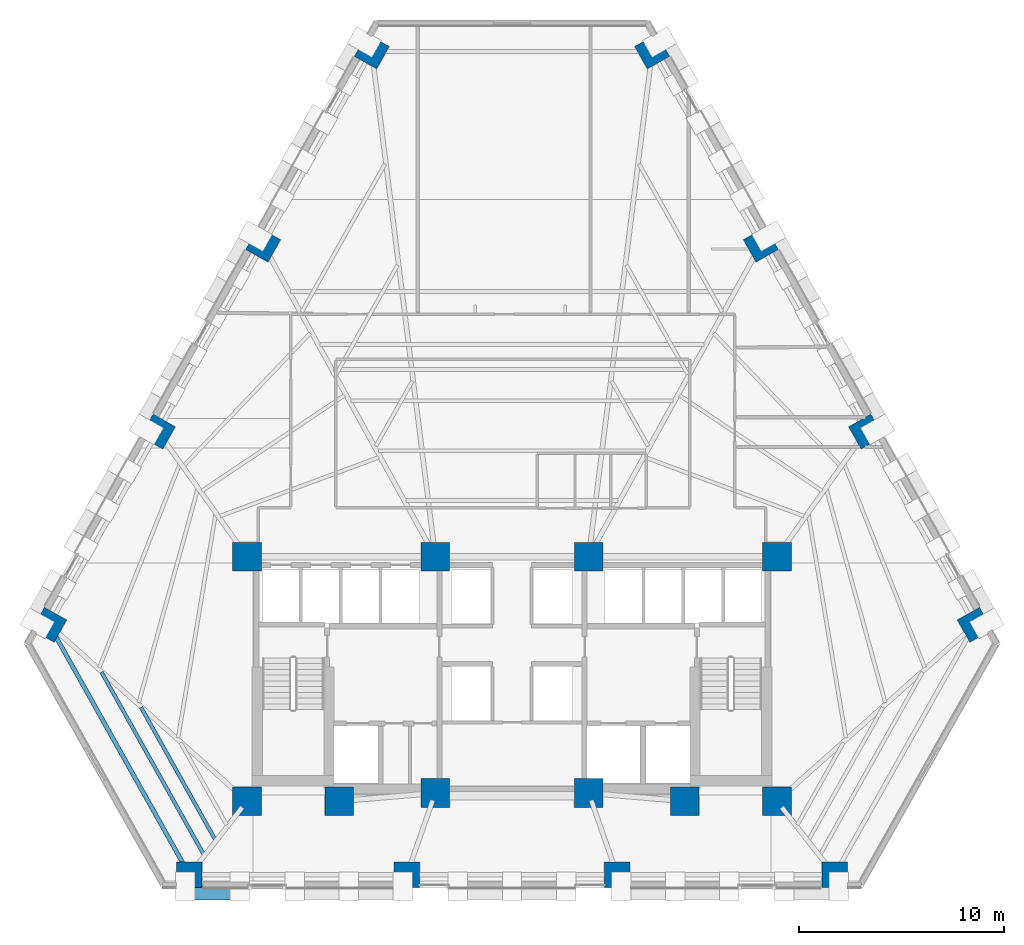
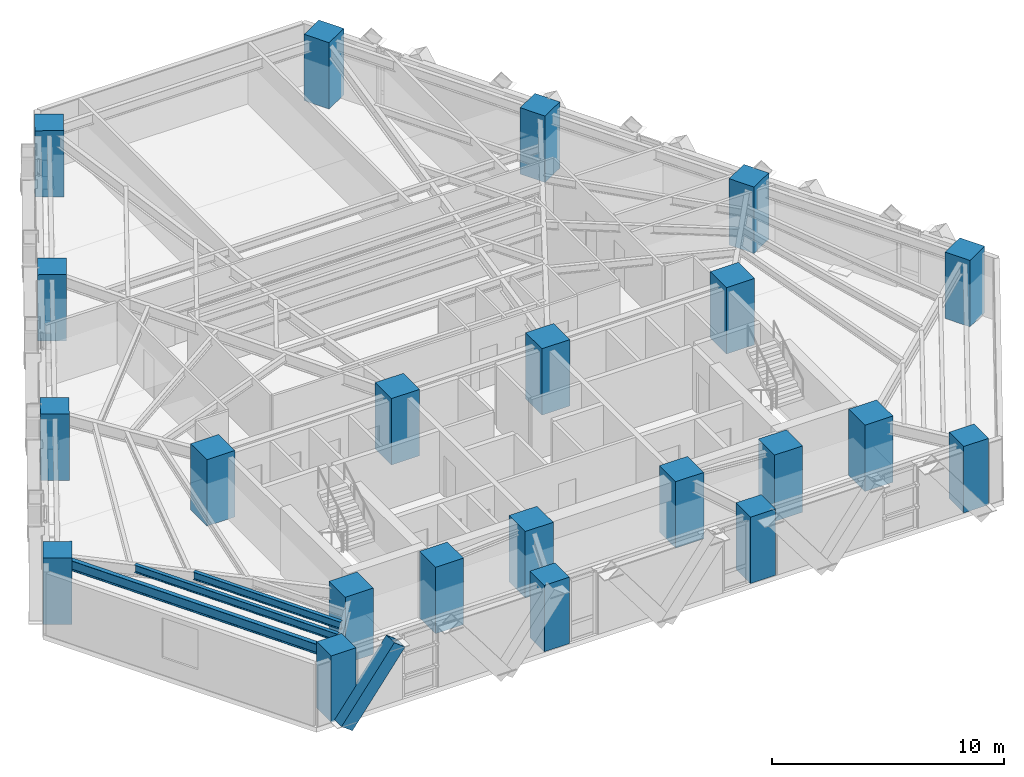
# One storey, part 1 of 13: 22 columns, 3 beams, 1 member.
"""IFC4 building model written with IfcOpenShell, lengths in metres."""

from ifc_helpers import new_model, si_unit, direction, frame, origin, origin_2d, place, context, subcontext, project, spatial, rectangle, hollow_rectangle, i_section, extrude, material, material_profile, profile_set, type_object, element, save


model = new_model("IFC4")

# Units and contexts
model_context = context("Model", 3, precision=1e-05, world=origin(), true_north=direction((0.0, 1.0)))
body_context = subcontext(model_context, "Body", "Model", "MODEL_VIEW")
ifc_project = project(units=[si_unit("LENGTHUNIT", "METRE"), si_unit("AREAUNIT", "SQUARE_METRE"), si_unit("VOLUMEUNIT", "CUBIC_METRE"), si_unit("PLANEANGLEUNIT", "RADIAN"), si_unit("MASSUNIT", "GRAM", prefix="KILO")], contexts=[model_context])

# Site, building, storey
site_placement = place(None, origin())
site = spatial("IfcSite", under=ifc_project, at=site_placement, CompositionType="ELEMENT")
building_placement = place(site_placement, origin())
building = spatial("IfcBuilding", under=site, at=building_placement, Name="Quenlor Broadcast Tower", CompositionType="ELEMENT")
storey_placement = place(building_placement, frame((0.0, 0.0, 69.60009765625)))
storey = spatial("IfcBuildingStorey", under=building, at=storey_placement, Name="L18", CompositionType="ELEMENT", Elevation=69.60009765625)

# Columns
ifc_material_1 = material(Name="Concrete C65/80", Category="concrete")
ifc_material_profile_1 = material_profile(ifc_material_1, rectangle(XDim=1.39990234375, YDim=1.39990234375, at=origin_2d()))
ifc_profile_set_1 = profile_set([ifc_material_profile_1], Name="Concrete C65/80 RC1400x1400")
column_type_1 = type_object("IfcColumnType", Name="Core Corner Column Lower Concrete C65/80 1400", PredefinedType="COLUMN", material=ifc_profile_set_1)
for number, where, z_axis, x_axis, name in (
    (1, (-12.949951171875, -16.75, 0.0), (0.0, 0.0, 1.0), (1.0, 0.0, 0.0), "L18 Core Column CC1"),
    (2, (-8.449951171875, -16.75, 0.0), (0.0, 0.0, 1.0), (1.0, 0.0, 0.0), "L18 Core Column CC2"),
    (3, (-3.75, -16.35009765625, 0.0), (0.0, 0.0, 1.0), (1.0, 0.0, 0.0), "L18 Core Column CC3"),
    (4, (3.75, -16.35009765625, 0.0), (0.0, 0.0, 1.0), (1.0, 0.0, 0.0), "L18 Core Column CC4"),
    (5, (8.449951171875, -16.75, 0.0), (0.0, 0.0, 1.0), (1.0, 0.0, 0.0), "L18 Core Column CC5"),
    (6, (12.949951171875, -16.75, 0.0), (0.0, 0.0, 1.0), (1.0, 0.0, 0.0), "L18 Core Column CC6"),
    (7, (-12.949951171875, -4.800048828125, 0.0), (0.0, 0.0, 1.0), (1.0, 0.0, 0.0), "L18 Core Column CC7"),
    (8, (-3.75, -4.800048828125, 0.0), (0.0, 0.0, 1.0), (1.0, 0.0, 0.0), "L18 Core Column CC8"),
    (9, (3.75, -4.800048828125, 0.0), (0.0, 0.0, 1.0), (1.0, 0.0, 0.0), "L18 Core Column CC9"),
    (10, (12.949951171875, -4.800048828125, 0.0), (0.0, 0.0, 1.0), (1.0, 0.0, 0.0), "L18 Core Column CC10"),
):
    element("IfcColumn", number, at=place(storey_placement, frame(where, z_axis=z_axis, x_axis=x_axis)), inside=storey, type_object=column_type_1, Name=name, PredefinedType="COLUMN", context=body_context, shape_type="SweptSolid", body=[
        extrude(rectangle(XDim=1.39990234375, YDim=1.39990234375, at=origin_2d()), origin(), (0.0, 0.0, 1.0), 3.5),
    ])
ifc_material_2 = material(Name="Concrete C65/80", Category="concrete")
ifc_material_profile_2 = material_profile(ifc_material_2, rectangle(XDim=1.25, YDim=1.25, at=origin_2d()))
ifc_profile_set_2 = profile_set([ifc_material_profile_2], Name="Concrete C65/80 RC1250x1250")
column_type_2 = type_object("IfcColumnType", Name="Tower Perimeter Column Z1 Concrete C65/80 1250", PredefinedType="COLUMN", material=ifc_profile_set_2)
for number, where, z_axis, x_axis, name in (
    (11, (-15.76513671875, -20.35009765625, 0.0), (0.0, 0.0, 1.0), (0.0, 1.0, 0.0), "L18 Perimeter Column S1"),
    (12, (-5.140869140625, -20.35009765625, 0.0), (0.0, 0.0, 1.0), (0.0, 1.0, 0.0), "L18 Perimeter Column S2"),
    (13, (5.140869140625, -20.35009765625, 0.0), (0.0, 0.0, 1.0), (0.0, 1.0, 0.0), "L18 Perimeter Column S3"),
    (14, (15.76513671875, -20.35009765625, 0.0), (0.0, 0.0, 1.0), (0.0, 1.0, 0.0), "L18 Perimeter Column S4"),
    (15, (22.6162109375, -8.132080078125, 0.0), (0.0, 0.0, 1.0), (0.871575139605, 0.490261946333, 0.0), "L18 Perimeter Column NE1"),
    (16, (17.303955078125, 1.311767578125, 0.0), (0.0, 0.0, 1.0), (0.871575139605, 0.490261946333, 0.0), "L18 Perimeter Column NE2"),
    (17, (12.1630859375, 10.450927734375, 0.0), (0.0, 0.0, 1.0), (0.871575139605, 0.490261946333, 0.0), "L18 Perimeter Column NE3"),
    (18, (6.850830078125, 19.894775390625, 0.0), (0.0, 0.0, 1.0), (0.871575139605, 0.490261946333, 0.0), "L18 Perimeter Column NE4"),
    (19, (-6.850830078125, 19.894775390625, 0.0), (0.0, 0.0, 1.0), (-0.871575139605, 0.490261946333, 0.0), "L18 Perimeter Column NW1"),
    (20, (-12.1630859375, 10.450927734375, 0.0), (0.0, 0.0, 1.0), (-0.871575139605, 0.490261946333, 0.0), "L18 Perimeter Column NW2"),
    (21, (-17.303955078125, 1.311767578125, 0.0), (0.0, 0.0, 1.0), (-0.871575139605, 0.490261946333, 0.0), "L18 Perimeter Column NW3"),
    (22, (-22.6162109375, -8.132080078125, 0.0), (0.0, 0.0, 1.0), (-0.871575139605, 0.490261946333, 0.0), "L18 Perimeter Column NW4"),
):
    element("IfcColumn", number, at=place(storey_placement, frame(where, z_axis=z_axis, x_axis=x_axis)), inside=storey, type_object=column_type_2, Name=name, PredefinedType="COLUMN", context=body_context, shape_type="SweptSolid", body=[
        extrude(rectangle(XDim=1.25, YDim=1.25, at=origin_2d()), origin(), (0.0, 0.0, 1.0), 3.5),
    ])

# Member
ifc_material_3 = material(Name="Steel S355", Category="steel")
ifc_material_profile_3 = material_profile(ifc_material_3, hollow_rectangle(XDim=0.679931640625, YDim=0.679931640625, WallThickness=0.034912109375, at=origin_2d()))
ifc_profile_set_3 = profile_set([ifc_material_profile_3], Name="Steel S355 RHS680x680x35")
member_type = type_object("IfcMemberType", Name="Perimeter Diagonal Lattice Brace Z1 Steel S355 RHS680x35", PredefinedType="BRACE", material=ifc_profile_set_3)
member_placement = place(storey_placement, frame((-15.945068359375, -21.235107421875, -0.1201171875), z_axis=(0.600463982679, 0.0, 0.799651802665), x_axis=(0.0, 1.0, 0.0)))
element("IfcMember", 23, at=member_placement, inside=storey, type_object=member_type, Name="L18 Perimeter Diamond Lattice S-C4B", PredefinedType="BRACE", context=body_context, shape_type="SweptSolid", body=[
    extrude(hollow_rectangle(XDim=0.679931640625, YDim=0.679931640625, WallThickness=0.034912109375, at=origin_2d()), origin(), (0.0, 0.0, 1.0), 4.376953125),
])

# Beams
ifc_material_4 = material(Name="Steel S355", Category="steel")
ifc_material_profile_4 = material_profile(ifc_material_4, i_section(OverallWidth=0.208984375, OverallDepth=0.532958984375, WebThickness=0.01025390625, FlangeThickness=0.015625, FilletRadius=0.013916015625, at=origin_2d()))
ifc_profile_set_4 = profile_set([ifc_material_profile_4], Name="Steel S355 530UB92.4")
beam_type_1 = type_object("IfcBeamType", Name="Perimeter Spandrel Beam Z1 Steel S355 530UB92.4", PredefinedType="SPANDREL", material=ifc_profile_set_4)
beam_1_placement = place(storey_placement, frame((-22.41552734375, -8.48974609375, 2.9833984375), z_axis=(0.489090917871, -0.87223280955, 0.0), x_axis=(0.87223280955, 0.489090917871, 0.0)))
element("IfcBeam", 24, at=beam_1_placement, inside=storey, type_object=beam_type_1, Name="L18 Spandrel Beam NW4-S1", PredefinedType="SPANDREL", context=body_context, shape_type="SweptSolid", body=[
    extrude(i_section(OverallWidth=0.208984375, OverallDepth=0.532958984375, WebThickness=0.01025390625, FlangeThickness=0.015625, FilletRadius=0.013916015625, at=origin_2d()), origin(), (0.0, 0.0, 1.0), 13.187744140625),
])
ifc_material_5 = material(Name="Steel S355", Category="steel")
ifc_material_profile_5 = material_profile(ifc_material_5, i_section(OverallWidth=0.177978515625, OverallDepth=0.406494140625, WebThickness=0.0078125, FlangeThickness=0.0126953125, FilletRadius=0.011474609375, at=origin_2d()))
ifc_profile_set_5 = profile_set([ifc_material_profile_5], Name="Steel S355 410UB59.7")
beam_type_2 = type_object("IfcBeamType", Name="Tower Composite Joist Z1 Steel S355 410UB59.7", PredefinedType="JOIST", material=ifc_profile_set_5)
beam_2_placement = place(storey_placement, frame((-14.50927734375, -18.624267578125, 3.046630859375), z_axis=(-0.489088249322, 0.872234305892, 0.0), x_axis=(-0.872234305892, -0.489088249322, 0.0)))
element("IfcBeam", 25, at=beam_2_placement, inside=storey, type_object=beam_type_2, Name="L18 Secondary Composite Joist 20", PredefinedType="JOIST", context=body_context, shape_type="SweptSolid", body=[
    extrude(i_section(OverallWidth=0.177978515625, OverallDepth=0.406494140625, WebThickness=0.0078125, FlangeThickness=0.0126953125, FilletRadius=0.011474609375, at=origin_2d()), origin(), (0.0, 0.0, 1.0), 7.404296875),
])
beam_3_placement = place(storey_placement, frame((-15.072265625, -19.34423828125, 3.046630859375), z_axis=(-0.489081877778, 0.872237878579, 0.0), x_axis=(-0.872237878579, -0.489081877778, 0.0)))
element("IfcBeam", 26, at=beam_3_placement, inside=storey, type_object=beam_type_2, Name="L18 Secondary Composite Joist 21", PredefinedType="JOIST", context=body_context, shape_type="SweptSolid", body=[
    extrude(i_section(OverallWidth=0.177978515625, OverallDepth=0.406494140625, WebThickness=0.0078125, FlangeThickness=0.0126953125, FilletRadius=0.011474609375, at=origin_2d()), origin(), (0.0, 0.0, 1.0), 10.205810546875),
])

save(model, "model.ifc")
